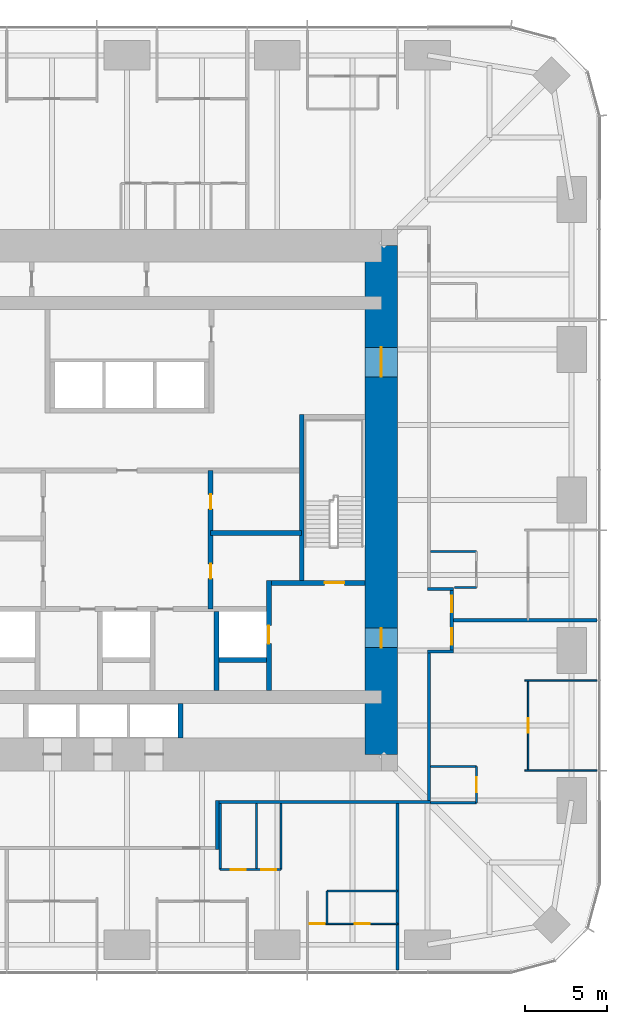
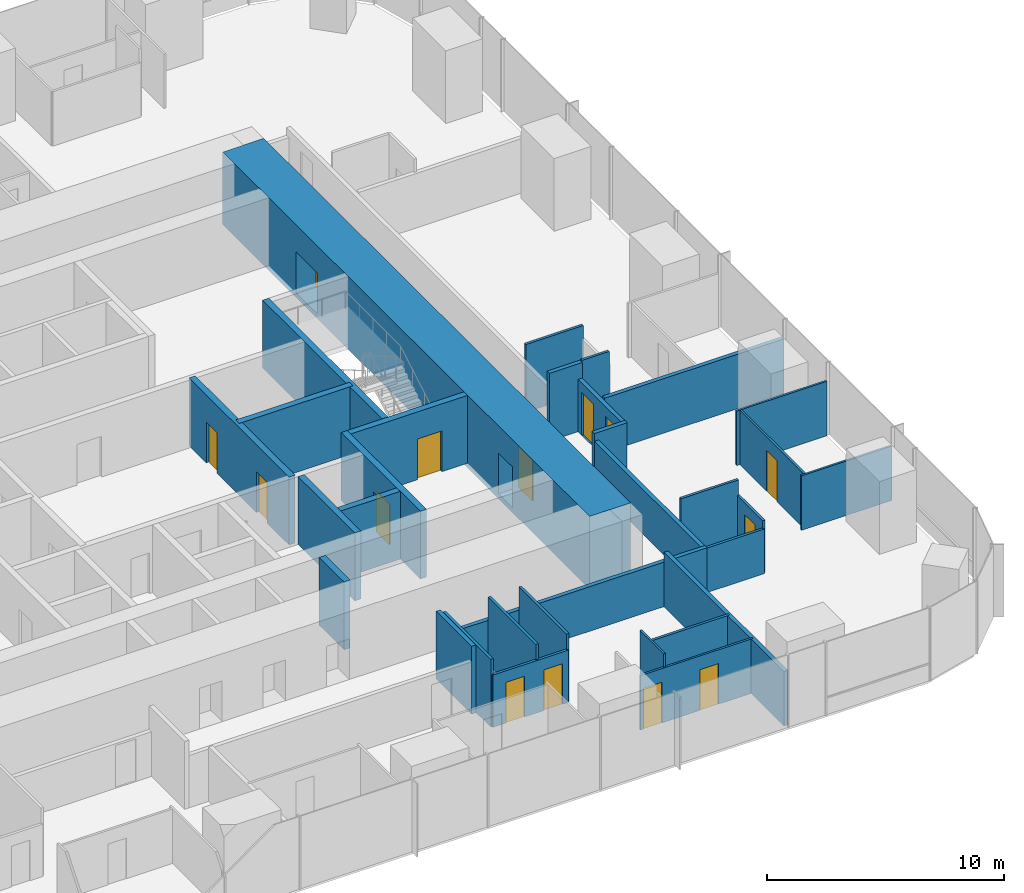
# One storey, part 10 of 13: 32 walls, 14 doors, 14 openings.
"""IFC4 building model written with IfcOpenShell, lengths in metres."""

from ifc_helpers import new_model, si_unit, direction, frame, frame_2d, origin, place, context, subcontext, project, spatial, rectangle, extrude, material, layer, layer_set, type_object, element, fill, save


model = new_model("IFC4")

# Units and contexts
model_context = context("Model", 3, precision=1e-05, world=origin(), true_north=direction((0.0, 1.0)))
body_context = subcontext(model_context, "Body", "Model", "MODEL_VIEW")
ifc_project = project(units=[si_unit("LENGTHUNIT", "METRE"), si_unit("AREAUNIT", "SQUARE_METRE"), si_unit("VOLUMEUNIT", "CUBIC_METRE"), si_unit("PLANEANGLEUNIT", "RADIAN"), si_unit("MASSUNIT", "GRAM", prefix="KILO")], contexts=[model_context])

# Site, building, storey
site_placement = place(None, origin())
site = spatial("IfcSite", under=ifc_project, at=site_placement, CompositionType="ELEMENT")
building_placement = place(site_placement, origin())
building = spatial("IfcBuilding", under=site, at=building_placement, Name="Khuree Lantern Residences", CompositionType="ELEMENT")
storey_placement = place(building_placement, frame((0.0, 0.0, 148.5)))
storey = spatial("IfcBuildingStorey", under=building, at=storey_placement, Name="L37", CompositionType="ELEMENT", Elevation=148.5)

# Walls
ifc_material_1 = material(Name="Moisture-resistant gypsum board on steel studs", Category="steel")
ifc_layer_1 = layer(ifc_material_1, 0.125)
ifc_layer_set_1 = layer_set([ifc_layer_1], Name="BATHROOM WALL BTW125")
wall_type_1 = type_object("IfcWallType", Name="BATHROOM WALL BTW125", PredefinedType="PARTITIONING", material=ifc_layer_set_1)
wall_1_placement = place(storey_placement, frame((19.969970703125, -5.327880859375, 0.0), z_axis=(0.0, 0.0, 1.0), x_axis=(1.0, 0.0, 0.0)))
element("IfcWall", 1, at=wall_1_placement, inside=storey, type_object=wall_type_1, Name="L37 BATHROOM WALL 01", PredefinedType="PARTITIONING", context=body_context, shape_type="SweptSolid", body=[
    extrude(rectangle(XDim=1.330078125, YDim=0.125, at=frame_2d((0.6650390625, 0.0))), origin(), (0.0, 0.0, 1.0), 3.5),
])
wall_2_placement = place(storey_placement, frame((18.5, -3.1279296875, 0.0), z_axis=(0.0, 0.0, 1.0), x_axis=(1.0, 0.0, 0.0)))
element("IfcWall", 2, at=wall_2_placement, inside=storey, type_object=wall_type_1, Name="L37 BATHROOM WALL 01", PredefinedType="PARTITIONING", context=body_context, shape_type="SweptSolid", body=[
    extrude(rectangle(XDim=2.800048828125, YDim=0.125, at=frame_2d((1.39990234375, 0.0))), origin(), (0.0, 0.0, 1.0), 3.5),
])
wall_3_placement = place(storey_placement, frame((12.19189453125, -23.829833984375, 0.0), z_axis=(0.0, 0.0, 1.0), x_axis=(1.0, 0.0, 0.0)))
element("IfcWall", 3, at=wall_3_placement, inside=storey, type_object=wall_type_1, Name="L37 BATHROOM WALL 06", PredefinedType="PARTITIONING", context=body_context, shape_type="SweptSolid", body=[
    extrude(rectangle(XDim=4.296142578125, YDim=0.125, at=frame_2d((2.14794921875, 0.0))), origin(), (0.0, 0.0, 1.0), 2.81005859375),
])

# Wall, openings, doors
wall_4_placement = place(storey_placement, frame((5.68359375, -22.52978515625, 0.0), z_axis=(0.0, 0.0, 1.0), x_axis=(1.0, 0.0, 0.0)))
wall_4 = element("IfcWall", 4, at=wall_4_placement, inside=storey, type_object=wall_type_1, Name="L37 BATHROOM WALL 06", PredefinedType="PARTITIONING", context=body_context, shape_type="SweptSolid", body=[
    extrude(rectangle(XDim=3.699951171875, YDim=0.125, at=frame_2d((1.85009765625, 0.0))), origin(), (0.0, 0.0, 1.0), 2.699951171875),
])
opening_1_placement = place(wall_4_placement, frame((0.64990234375, 0.0, 0.0)))
opening_1 = element("IfcOpeningElement", 5, at=opening_1_placement, cuts=wall_4, Name="Opening 37-058", PredefinedType="OPENING", context=body_context, shape_type="SweptSolid", body=[
    extrude(rectangle(XDim=0.89990234375, YDim=2.10009765625, at=frame_2d((0.449951171875, 1.050048828125))), frame((0.0, 0.072509765625, 0.0), z_axis=(0.0, -1.0, 0.0), x_axis=(1.0, 0.0, 0.0)), (0.0, 0.0, 1.0), 0.14501953125),
])
opening_2_placement = place(wall_4_placement, frame((2.5, 0.0, 0.0)))
opening_2 = element("IfcOpeningElement", 6, at=opening_2_placement, cuts=wall_4, Name="Opening 37-059", PredefinedType="OPENING", context=body_context, shape_type="SweptSolid", body=[
    extrude(rectangle(XDim=0.89990234375, YDim=2.10009765625, at=frame_2d((0.449951171875, 1.050048828125))), frame((0.0, 0.072509765625, 0.0), z_axis=(0.0, -1.0, 0.0), x_axis=(1.0, 0.0, 0.0)), (0.0, 0.0, 1.0), 0.14501953125),
])
ifc_material_2 = material(Name="Timber door leaf in hardwood frame", Category="wood")
door_type_1 = type_object("IfcDoorType", Name="BATHROOM DOOR 900X2100", OperationType="SINGLE_SWING_LEFT", PredefinedType="DOOR", material=ifc_material_2)
door_1_placement = place(opening_1_placement, origin())
door_1 = element("IfcDoor", 7, at=door_1_placement, inside=storey, type_object=door_type_1, Name="Bathroom door 37-058", OperationType="SINGLE_SWING_LEFT", OverallHeight=2.10009765625, OverallWidth=0.89990234375, PredefinedType="DOOR", context=body_context, shape_type="SweptSolid", body=[
    extrude(rectangle(XDim=0.89990234375, YDim=2.10009765625, at=frame_2d((0.449951171875, 1.050048828125))), frame((0.0, 0.02490234375, 0.0), z_axis=(0.0, -1.0, 0.0), x_axis=(1.0, 0.0, 0.0)), (0.0, 0.0, 1.0), 0.050048828125),
])
fill(opening_1, door_1)
door_type_2 = type_object("IfcDoorType", Name="WC DOOR 900X2100", OperationType="SINGLE_SWING_LEFT", PredefinedType="DOOR", material=ifc_material_2)
door_2_placement = place(opening_2_placement, origin())
door_2 = element("IfcDoor", 8, at=door_2_placement, inside=storey, type_object=door_type_2, Name="WC door 37-059", OperationType="SINGLE_SWING_LEFT", OverallHeight=2.10009765625, OverallWidth=0.89990234375, PredefinedType="DOOR", context=body_context, shape_type="SweptSolid", body=[
    extrude(rectangle(XDim=0.89990234375, YDim=2.10009765625, at=frame_2d((0.449951171875, 1.050048828125))), frame((0.0, 0.02490234375, 0.0), z_axis=(0.0, -1.0, 0.0), x_axis=(1.0, 0.0, 0.0)), (0.0, 0.0, 1.0), 0.050048828125),
])
fill(opening_2, door_2)

# Walls
for number, where, z_axis, x_axis, name in (
    (9, (5.68359375, -18.5, 0.0), (0.0, 0.0, 1.0), (0.0, -1.0, 0.0), "L37 BATHROOM WALL 06"),
    (10, (7.883544921875, -18.5, 0.0), (0.0, 0.0, 1.0), (0.0, -1.0, 0.0), "L37 BATHROOM WALL 06"),
    (11, (9.383544921875, -18.5, 0.0), (0.0, 0.0, 1.0), (0.0, -1.0, 0.0), "L37 BATHROOM WALL 06"),
):
    element("IfcWall", number, at=place(storey_placement, frame(where, z_axis=z_axis, x_axis=x_axis)), inside=storey, type_object=wall_type_1, Name=name, PredefinedType="PARTITIONING", context=body_context, shape_type="SweptSolid", body=[
        extrude(rectangle(XDim=4.02978515625, YDim=0.125, at=frame_2d((2.014892578125, 0.0))), origin(), (0.0, 0.0, 1.0), 3.5),
    ])

# Wall, opening, door
wall_5_placement = place(storey_placement, frame((21.300048828125, -18.449951171875, 0.0), z_axis=(0.0, 0.0, 1.0), x_axis=(0.0, 1.0, 0.0)))
wall_5 = element("IfcWall", 12, at=wall_5_placement, inside=storey, type_object=wall_type_1, Name="L37 BATHROOM WALL 07", PredefinedType="PARTITIONING", context=body_context, shape_type="SweptSolid", body=[
    extrude(rectangle(XDim=2.199951171875, YDim=0.125, at=frame_2d((1.10009765625, 0.0))), origin(), (0.0, 0.0, 1.0), 2.699951171875),
])
opening_3_placement = place(wall_5_placement, frame((0.64990234375, 0.0, 0.0)))
opening_3 = element("IfcOpeningElement", 13, at=opening_3_placement, cuts=wall_5, Name="Opening 37-062", PredefinedType="OPENING", context=body_context, shape_type="SweptSolid", body=[
    extrude(rectangle(XDim=0.89990234375, YDim=2.10009765625, at=frame_2d((0.449951171875, 1.050048828125))), frame((0.0, 0.072509765625, 0.0), z_axis=(0.0, -1.0, 0.0), x_axis=(1.0, 0.0, 0.0)), (0.0, 0.0, 1.0), 0.14501953125),
])
door_3_placement = place(opening_3_placement, origin())
door_3 = element("IfcDoor", 14, at=door_3_placement, inside=storey, type_object=door_type_1, Name="Bathroom door 37-062", OperationType="SINGLE_SWING_LEFT", OverallHeight=2.10009765625, OverallWidth=0.89990234375, PredefinedType="DOOR", context=body_context, shape_type="SweptSolid", body=[
    extrude(rectangle(XDim=0.89990234375, YDim=2.10009765625, at=frame_2d((0.449951171875, 1.050048828125))), frame((0.0, 0.02490234375, 0.0), z_axis=(0.0, -1.0, 0.0), x_axis=(1.0, 0.0, 0.0)), (0.0, 0.0, 1.0), 0.050048828125),
])
fill(opening_3, door_3)

# Walls
wall_6_placement = place(storey_placement, frame((18.5, -18.449951171875, 0.0), z_axis=(0.0, 0.0, 1.0), x_axis=(1.0, 0.0, 0.0)))
element("IfcWall", 15, at=wall_6_placement, inside=storey, type_object=wall_type_1, Name="L37 BATHROOM WALL 07", PredefinedType="PARTITIONING", context=body_context, shape_type="SweptSolid", body=[
    extrude(rectangle(XDim=2.800048828125, YDim=0.125, at=frame_2d((1.39990234375, 0.0))), origin(), (0.0, 0.0, 1.0), 2.300048828125),
])
wall_7_placement = place(storey_placement, frame((18.5, -16.25, 0.0), z_axis=(0.0, 0.0, 1.0), x_axis=(1.0, 0.0, 0.0)))
element("IfcWall", 16, at=wall_7_placement, inside=storey, type_object=wall_type_1, Name="L37 BATHROOM WALL 07", PredefinedType="PARTITIONING", context=body_context, shape_type="SweptSolid", body=[
    extrude(rectangle(XDim=2.800048828125, YDim=0.125, at=frame_2d((1.39990234375, 0.0))), origin(), (0.0, 0.0, 1.0), 3.5),
])

# Wall, opening, door
ifc_material_3 = material(Name="Dense concrete blockwork", Category="masonry")
ifc_layer_2 = layer(ifc_material_3, 0.300048828125)
ifc_layer_set_2 = layer_set([ifc_layer_2], Name="CORE PARTITION WALL CPW300 EI 120")
wall_type_2 = type_object("IfcWallType", Name="CORE PARTITION WALL CPW300 EI 120", PredefinedType="PARTITIONING", material=ifc_layer_set_2)
wall_8_placement = place(storey_placement, frame((8.64990234375, -11.60009765625, 0.0), z_axis=(0.0, 0.0, 1.0), x_axis=(0.0, 1.0, 0.0)))
wall_8 = element("IfcWall", 17, at=wall_8_placement, inside=storey, type_object=wall_type_2, Name="L37 CORE WALL FL2E", PredefinedType="PARTITIONING", context=body_context, shape_type="SweptSolid", body=[
    extrude(rectangle(XDim=6.7001953125, YDim=0.300048828125, at=frame_2d((3.35009765625, 0.0))), origin(), (0.0, 0.0, 1.0), 3.5),
])
opening_4_placement = place(wall_8_placement, frame((2.85009765625, 0.0, 0.0)))
opening_4 = element("IfcOpeningElement", 18, at=opening_4_placement, cuts=wall_8, Name="Opening 37-008", PredefinedType="OPENING", context=body_context, shape_type="SweptSolid", body=[
    extrude(rectangle(XDim=1.10009765625, YDim=2.10009765625, at=frame_2d((0.550048828125, 1.050048828125))), frame((0.0, 0.16015625, 0.0), z_axis=(0.0, -1.0, 0.0), x_axis=(1.0, 0.0, 0.0)), (0.0, 0.0, 1.0), 0.320068359375),
])
ifc_material_4 = material(Name="Stainless steel lift landing door", Category="steel")
door_type_3 = type_object("IfcDoorType", Name="LIFT LANDING DOOR 1100X2100 E 120", OperationType="DOUBLE_DOOR_SLIDING", PredefinedType="DOOR", material=ifc_material_4)
door_4_placement = place(opening_4_placement, origin())
door_4 = element("IfcDoor", 19, at=door_4_placement, inside=storey, type_object=door_type_3, Name="Landing door FL2 37-008", OperationType="DOUBLE_DOOR_SLIDING", OverallHeight=2.10009765625, OverallWidth=1.10009765625, PredefinedType="DOOR", context=body_context, shape_type="SweptSolid", body=[
    extrude(rectangle(XDim=1.10009765625, YDim=2.10009765625, at=frame_2d((0.550048828125, 1.050048828125))), frame((0.0, 0.02490234375, 0.0), z_axis=(0.0, -1.0, 0.0), x_axis=(1.0, 0.0, 0.0)), (0.0, 0.0, 1.0), 0.050048828125),
])
fill(opening_4, door_4)

# Walls
wall_9_placement = place(storey_placement, frame((5.449951171875, -11.60009765625, 0.0), z_axis=(0.0, 0.0, 1.0), x_axis=(0.0, 1.0, 0.0)))
element("IfcWall", 20, at=wall_9_placement, inside=storey, type_object=wall_type_2, Name="L37 CORE WALL FL2W", PredefinedType="PARTITIONING", context=body_context, shape_type="SweptSolid", body=[
    extrude(rectangle(XDim=4.800048828125, YDim=0.300048828125, at=frame_2d((2.39990234375, 0.0))), origin(), (0.0, 0.0, 1.0), 3.5),
])
wall_10_placement = place(storey_placement, frame((5.60009765625, -9.75, 0.0), z_axis=(0.0, 0.0, 1.0), x_axis=(1.0, 0.0, 0.0)))
element("IfcWall", 21, at=wall_10_placement, inside=storey, type_object=wall_type_2, Name="L37 CORE WALL FL2S", PredefinedType="PARTITIONING", context=body_context, shape_type="SweptSolid", body=[
    extrude(rectangle(XDim=2.89990234375, YDim=0.300048828125, at=frame_2d((1.449951171875, 0.0))), origin(), (0.0, 0.0, 1.0), 3.5),
])
wall_11_placement = place(storey_placement, frame((3.25, -14.5, 0.0), z_axis=(0.0, 0.0, 1.0), x_axis=(0.0, 1.0, 0.0)))
element("IfcWall", 22, at=wall_11_placement, inside=storey, type_object=wall_type_2, Name="L37 CORE WALL PME", PredefinedType="PARTITIONING", context=body_context, shape_type="SweptSolid", body=[
    extrude(rectangle(XDim=2.10009765625, YDim=0.300048828125, at=frame_2d((1.050048828125, 0.0))), origin(), (0.0, 0.0, 1.0), 3.5),
])

# Wall, openings, doors
wall_12_placement = place(storey_placement, frame((5.10009765625, -6.64990234375, 0.0), z_axis=(0.0, 0.0, 1.0), x_axis=(0.0, 1.0, 0.0)))
wall_12 = element("IfcWall", 23, at=wall_12_placement, inside=storey, type_object=wall_type_2, Name="L37 CORE WALL SVE", PredefinedType="PARTITIONING", context=body_context, shape_type="SweptSolid", body=[
    extrude(rectangle(XDim=8.449951171875, YDim=0.300048828125, at=frame_2d((4.22509765625, 0.0))), origin(), (0.0, 0.0, 1.0), 3.5),
])
opening_5_placement = place(wall_12_placement, frame((1.865966796875, 0.0, 0.0)))
opening_5 = element("IfcOpeningElement", 24, at=opening_5_placement, cuts=wall_12, Name="Opening 37-019", PredefinedType="OPENING", context=body_context, shape_type="SweptSolid", body=[
    extrude(rectangle(XDim=0.89990234375, YDim=2.10009765625, at=frame_2d((0.449951171875, 1.050048828125))), frame((0.0, 0.16015625, 0.0), z_axis=(0.0, -1.0, 0.0), x_axis=(1.0, 0.0, 0.0)), (0.0, 0.0, 1.0), 0.320068359375),
])
opening_6_placement = place(wall_12_placement, frame((6.091064453125, 0.0, 0.0)))
opening_6 = element("IfcOpeningElement", 25, at=opening_6_placement, cuts=wall_12, Name="Opening 37-020", PredefinedType="OPENING", context=body_context, shape_type="SweptSolid", body=[
    extrude(rectangle(XDim=0.89990234375, YDim=2.10009765625, at=frame_2d((0.449951171875, 1.050048828125))), frame((0.0, 0.16015625, 0.0), z_axis=(0.0, -1.0, 0.0), x_axis=(1.0, 0.0, 0.0)), (0.0, 0.0, 1.0), 0.320068359375),
])
door_type_4 = type_object("IfcDoorType", Name="DOOR 900X2100", OperationType="SINGLE_SWING_LEFT", PredefinedType="DOOR", material=ifc_material_2)
door_5_placement = place(opening_5_placement, origin())
door_5 = element("IfcDoor", 26, at=door_5_placement, inside=storey, type_object=door_type_4, Name="Parcel room door 37-019", OperationType="SINGLE_SWING_LEFT", OverallHeight=2.10009765625, OverallWidth=0.89990234375, PredefinedType="DOOR", context=body_context, shape_type="SweptSolid", body=[
    extrude(rectangle(XDim=0.89990234375, YDim=2.10009765625, at=frame_2d((0.449951171875, 1.050048828125))), frame((0.0, 0.02490234375, 0.0), z_axis=(0.0, -1.0, 0.0), x_axis=(1.0, 0.0, 0.0)), (0.0, 0.0, 1.0), 0.050048828125),
])
fill(opening_5, door_5)
door_type_5 = type_object("IfcDoorType", Name="DOOR 900X2100 RIGHT HAND", OperationType="SINGLE_SWING_RIGHT", PredefinedType="DOOR", material=ifc_material_2)
door_6_placement = place(opening_6_placement, origin())
door_6 = element("IfcDoor", 27, at=door_6_placement, inside=storey, type_object=door_type_5, Name="Bulky waste store door 37-020", OperationType="SINGLE_SWING_RIGHT", OverallHeight=2.10009765625, OverallWidth=0.89990234375, PredefinedType="DOOR", context=body_context, shape_type="SweptSolid", body=[
    extrude(rectangle(XDim=0.89990234375, YDim=2.10009765625, at=frame_2d((0.449951171875, 1.050048828125))), frame((0.0, 0.02490234375, 0.0), z_axis=(0.0, -1.0, 0.0), x_axis=(1.0, 0.0, 0.0)), (0.0, 0.0, 1.0), 0.050048828125),
])
fill(opening_6, door_6)

# Walls
wall_13_placement = place(storey_placement, frame((10.64990234375, -2.01806640625, 0.0), z_axis=(0.0, 0.0, 1.0), x_axis=(-1.0, 0.0, 0.0)))
element("IfcWall", 28, at=wall_13_placement, inside=storey, type_object=wall_type_2, Name="L37 CORE WALL EX", PredefinedType="PARTITIONING", context=body_context, shape_type="SweptSolid", body=[
    extrude(rectangle(XDim=5.5498046875, YDim=0.300048828125, at=frame_2d((2.77490234375, 0.0))), origin(), (0.0, 0.0, 1.0), 3.5),
])
ifc_material_5 = material(Name="Gypsum board on steel studs", Category="steel")
ifc_layer_3 = layer(ifc_material_5, 0.199951171875)
ifc_layer_set_3 = layer_set([ifc_layer_3], Name="CORRIDOR WALL CRW200 EI 60")
wall_type_3 = type_object("IfcWallType", Name="CORRIDOR WALL CRW200 EI 60", PredefinedType="PARTITIONING", material=ifc_layer_set_3)
wall_14_placement = place(storey_placement, frame((18.39990234375, -18.300048828125, 0.0), z_axis=(0.0, 0.0, 1.0), x_axis=(0.0, 1.0, 0.0)))
element("IfcWall", 29, at=wall_14_placement, inside=storey, type_object=wall_type_3, Name="L37 CORRIDOR WALL EAST 1", PredefinedType="PARTITIONING", context=body_context, shape_type="SweptSolid", body=[
    extrude(rectangle(XDim=8.97216796875, YDim=0.199951171875, at=frame_2d((4.486083984375, 0.0))), origin(), (0.0, 0.0, 1.0), 2.300048828125),
])
wall_15_placement = place(storey_placement, frame((18.300048828125, -9.22802734375, 0.0), z_axis=(0.0, 0.0, 1.0), x_axis=(1.0, 0.0, 0.0)))
element("IfcWall", 30, at=wall_15_placement, inside=storey, type_object=wall_type_3, Name="L37 CORRIDOR ALCOVE WALL EAST", PredefinedType="PARTITIONING", context=body_context, shape_type="SweptSolid", body=[
    extrude(rectangle(XDim=1.599853515625, YDim=0.199951171875, at=frame_2d((0.7998046875, 0.0))), origin(), (0.0, 0.0, 1.0), 2.699951171875),
])
wall_16_placement = place(storey_placement, frame((18.300048828125, -5.427978515625, 0.0), z_axis=(0.0, 0.0, 1.0), x_axis=(1.0, 0.0, 0.0)))
element("IfcWall", 31, at=wall_16_placement, inside=storey, type_object=wall_type_3, Name="L37 CORRIDOR ALCOVE WALL EAST", PredefinedType="PARTITIONING", context=body_context, shape_type="SweptSolid", body=[
    extrude(rectangle(XDim=1.599853515625, YDim=0.199951171875, at=frame_2d((0.7998046875, 0.0))), origin(), (0.0, 0.0, 1.0), 3.5),
])

# Wall, openings, doors
wall_17_placement = place(storey_placement, frame((19.800048828125, -9.1279296875, 0.0), z_axis=(0.0, 0.0, 1.0), x_axis=(0.0, 1.0, 0.0)))
wall_17 = element("IfcWall", 32, at=wall_17_placement, inside=storey, type_object=wall_type_3, Name="L37 CORRIDOR ALCOVE WALL EAST", PredefinedType="PARTITIONING", context=body_context, shape_type="SweptSolid", body=[
    extrude(rectangle(XDim=3.599853515625, YDim=0.199951171875, at=frame_2d((1.7998046875, 0.0))), origin(), (0.0, 0.0, 1.0), 2.699951171875),
])
opening_7_placement = place(wall_17_placement, frame((2.300048828125, 0.0, 0.0)))
opening_7 = element("IfcOpeningElement", 33, at=opening_7_placement, cuts=wall_17, Name="Opening 37-027", PredefinedType="OPENING", context=body_context, shape_type="SweptSolid", body=[
    extrude(rectangle(XDim=1.0, YDim=2.199951171875, at=frame_2d((0.5, 1.10009765625))), frame((0.0, 0.10986328125, 0.0), z_axis=(0.0, -1.0, 0.0), x_axis=(1.0, 0.0, 0.0)), (0.0, 0.0, 1.0), 0.219970703125),
])
opening_8_placement = place(wall_17_placement, frame((0.300048828125, 0.0, 0.0)))
opening_8 = element("IfcOpeningElement", 34, at=opening_8_placement, cuts=wall_17, Name="Opening 37-063", PredefinedType="OPENING", context=body_context, shape_type="SweptSolid", body=[
    extrude(rectangle(XDim=1.0, YDim=2.199951171875, at=frame_2d((0.5, 1.10009765625))), frame((0.0, 0.10986328125, 0.0), z_axis=(0.0, -1.0, 0.0), x_axis=(1.0, 0.0, 0.0)), (0.0, 0.0, 1.0), 0.219970703125),
])
door_type_6 = type_object("IfcDoorType", Name="APARTMENT ENTRANCE DOOR 1000X2200 EI 30S", OperationType="SINGLE_SWING_LEFT", PredefinedType="DOOR", material=ifc_material_2)
door_7_placement = place(opening_8_placement, origin())
door_7 = element("IfcDoor", 35, at=door_7_placement, inside=storey, type_object=door_type_6, Name="Apartment 07 entrance door 37-063", OperationType="SINGLE_SWING_LEFT", OverallHeight=2.199951171875, OverallWidth=1.0, PredefinedType="DOOR", context=body_context, shape_type="SweptSolid", body=[
    extrude(rectangle(XDim=1.0, YDim=2.199951171875, at=frame_2d((0.5, 1.10009765625))), frame((0.0, 0.02490234375, 0.0), z_axis=(0.0, -1.0, 0.0), x_axis=(1.0, 0.0, 0.0)), (0.0, 0.0, 1.0), 0.050048828125),
])
fill(opening_8, door_7)
door_type_7 = type_object("IfcDoorType", Name="APARTMENT ENTRANCE DOOR 1000X2200 EI 30S RIGHT HAND", OperationType="SINGLE_SWING_RIGHT", PredefinedType="DOOR", material=ifc_material_2)
door_8_placement = place(opening_7_placement, origin())
door_8 = element("IfcDoor", 36, at=door_8_placement, inside=storey, type_object=door_type_7, Name="Apartment 01 entrance door 37-027", OperationType="SINGLE_SWING_RIGHT", OverallHeight=2.199951171875, OverallWidth=1.0, PredefinedType="DOOR", context=body_context, shape_type="SweptSolid", body=[
    extrude(rectangle(XDim=1.0, YDim=2.199951171875, at=frame_2d((0.5, 1.10009765625))), frame((0.0, 0.02490234375, 0.0), z_axis=(0.0, -1.0, 0.0), x_axis=(1.0, 0.0, 0.0)), (0.0, 0.0, 1.0), 0.050048828125),
])
fill(opening_7, door_8)

# Walls
wall_18_placement = place(storey_placement, frame((18.5, -18.39990234375, 0.0), z_axis=(0.0, 0.0, 1.0), x_axis=(-1.0, 0.0, 0.0)))
element("IfcWall", 37, at=wall_18_placement, inside=storey, type_object=wall_type_3, Name="L37 CORRIDOR WALL SOUTH 1", PredefinedType="PARTITIONING", context=body_context, shape_type="SweptSolid", body=[
    extrude(rectangle(XDim=12.89990234375, YDim=0.199951171875, at=frame_2d((6.449951171875, 0.0))), origin(), (0.0, 0.0, 1.0), 2.300048828125),
])
wall_19_placement = place(storey_placement, frame((5.5, -18.300048828125, 0.0), z_axis=(0.0, 0.0, 1.0), x_axis=(0.0, -1.0, 0.0)))
element("IfcWall", 38, at=wall_19_placement, inside=storey, type_object=wall_type_3, Name="L37 LIFT LOBBY WALL", PredefinedType="PARTITIONING", context=body_context, shape_type="SweptSolid", body=[
    extrude(rectangle(XDim=3.0, YDim=0.199951171875, at=frame_2d((1.5, 0.0))), origin(), (0.0, 0.0, 1.0), 3.5),
])

# Wall, openings, doors
ifc_material_6 = material(Name="Concrete C70/85", Category="concrete")
ifc_layer_4 = layer(ifc_material_6, 2.0)
ifc_layer_set_4 = layer_set([ifc_layer_4], Name="CW2000-C70 CORE WALL C70 2000")
wall_type_4 = type_object("IfcWallType", Name="CW2000-C70 CORE WALL C70 2000", PredefinedType="SHEAR", material=ifc_layer_set_4)
wall_20_placement = place(storey_placement, frame((15.5, -15.5, -0.25), z_axis=(0.0, 0.0, 1.0), x_axis=(0.0, 1.0, 0.0)))
wall_20 = element("IfcWall", 39, at=wall_20_placement, inside=storey, type_object=wall_type_4, Name="Core wall E", PredefinedType="SHEAR", context=body_context, shape_type="SweptSolid", body=[
    extrude(rectangle(XDim=31.0, YDim=2.0, at=frame_2d((15.5, 0.0))), origin(), (0.0, 0.0, 1.0), 3.75),
])
opening_9_placement = place(wall_20_placement, frame((6.5, 0.0, 0.25)))
opening_9 = element("IfcOpeningElement", 40, at=opening_9_placement, cuts=wall_20, Name="Opening 37-005", PredefinedType="OPENING", context=body_context, shape_type="SweptSolid", body=[
    extrude(rectangle(XDim=1.199951171875, YDim=2.10009765625, at=frame_2d((0.60009765625, 1.050048828125))), frame((0.0, 1.010009765625, 0.0), z_axis=(0.0, -1.0, 0.0), x_axis=(1.0, 0.0, 0.0)), (0.0, 0.0, 1.0), 2.02001953125),
])
opening_10_placement = place(wall_20_placement, frame((23.0, 0.0, 0.25)))
opening_10 = element("IfcOpeningElement", 41, at=opening_10_placement, cuts=wall_20, Name="Opening 37-006", PredefinedType="OPENING", context=body_context, shape_type="SweptSolid", body=[
    extrude(rectangle(XDim=1.800048828125, YDim=2.10009765625, at=frame_2d((0.89990234375, 1.050048828125))), frame((0.0, 1.010009765625, 0.0), z_axis=(0.0, -1.0, 0.0), x_axis=(1.0, 0.0, 0.0)), (0.0, 0.0, 1.0), 2.02001953125),
])
ifc_material_7 = material(Name="Steel door leaf in steel frame", Category="steel")
door_type_8 = type_object("IfcDoorType", Name="LOBBY DOOR 1200X2100 EI 120", OperationType="SINGLE_SWING_LEFT", PredefinedType="DOOR", material=ifc_material_7)
door_9_placement = place(opening_9_placement, origin())
door_9 = element("IfcDoor", 42, at=door_9_placement, inside=storey, type_object=door_type_8, Name="Firefighting lobby door 37-005", OperationType="SINGLE_SWING_LEFT", OverallHeight=2.10009765625, OverallWidth=1.199951171875, PredefinedType="DOOR", context=body_context, shape_type="SweptSolid", body=[
    extrude(rectangle(XDim=1.199951171875, YDim=2.10009765625, at=frame_2d((0.60009765625, 1.050048828125))), frame((0.0, 0.02490234375, 0.0), z_axis=(0.0, -1.0, 0.0), x_axis=(1.0, 0.0, 0.0)), (0.0, 0.0, 1.0), 0.050048828125),
])
fill(opening_9, door_9)
door_type_9 = type_object("IfcDoorType", Name="LOBBY DOUBLE DOOR 1800X2100 EI 60", OperationType="DOUBLE_DOOR_SINGLE_SWING", PredefinedType="DOOR", material=ifc_material_7)
door_10_placement = place(opening_10_placement, origin())
door_10 = element("IfcDoor", 43, at=door_10_placement, inside=storey, type_object=door_type_9, Name="Lift lobby door 37-006", OperationType="DOUBLE_DOOR_SINGLE_SWING", OverallHeight=2.10009765625, OverallWidth=1.800048828125, PredefinedType="DOOR", context=body_context, shape_type="SweptSolid", body=[
    extrude(rectangle(XDim=1.800048828125, YDim=2.10009765625, at=frame_2d((0.89990234375, 1.050048828125))), frame((0.0, 0.02490234375, 0.0), z_axis=(0.0, -1.0, 0.0), x_axis=(1.0, 0.0, 0.0)), (0.0, 0.0, 1.0), 0.050048828125),
])
fill(opening_10, door_10)

# Walls
ifc_layer_5 = layer(ifc_material_5, 0.199951171875)
ifc_layer_set_5 = layer_set([ifc_layer_5], Name="DEMISING WALL DMW200 EI 90")
wall_type_5 = type_object("IfcWallType", Name="DEMISING WALL DMW200 EI 90", PredefinedType="PARTITIONING", material=ifc_layer_set_5)
wall_21_placement = place(storey_placement, frame((19.89990234375, -7.327880859375, 0.0), z_axis=(0.0, 0.0, 1.0), x_axis=(1.0, 0.0, 0.0)))
element("IfcWall", 44, at=wall_21_placement, inside=storey, type_object=wall_type_5, Name="L37 DEMISING WALL 01", PredefinedType="PARTITIONING", context=body_context, shape_type="SweptSolid", body=[
    extrude(rectangle(XDim=8.75, YDim=0.199951171875, at=frame_2d((4.375, 0.0))), origin(), (0.0, 0.0, 1.0), 2.81005859375),
])
wall_22_placement = place(storey_placement, frame((16.488037109375, -18.5, 0.0), z_axis=(0.0, 0.0, 1.0), x_axis=(0.0, -1.0, 0.0)))
element("IfcWall", 45, at=wall_22_placement, inside=storey, type_object=wall_type_5, Name="L37 DEMISING WALL 07", PredefinedType="PARTITIONING", context=body_context, shape_type="SweptSolid", body=[
    extrude(rectangle(XDim=10.14990234375, YDim=0.199951171875, at=frame_2d((5.074951171875, 0.0))), origin(), (0.0, 0.0, 1.0), 2.81005859375),
])
ifc_layer_6 = layer(ifc_material_5, 0.10009765625)
ifc_layer_set_6 = layer_set([ifc_layer_6], Name="PARTITION PT100")
wall_type_6 = type_object("IfcWallType", Name="PARTITION PT100", PredefinedType="PARTITIONING", material=ifc_layer_set_6)
for number, where, z_axis, x_axis, name in (
    (46, (24.25, -16.488037109375, 0.0), (0.0, 0.0, 1.0), (1.0, 0.0, 0.0), "L37 PARTITION 07"),
    (47, (24.25, -10.991943359375, 0.0), (0.0, 0.0, 1.0), (1.0, 0.0, 0.0), "L37 PARTITION 07"),
):
    element("IfcWall", number, at=place(storey_placement, frame(where, z_axis=z_axis, x_axis=x_axis)), inside=storey, type_object=wall_type_6, Name=name, PredefinedType="PARTITIONING", context=body_context, shape_type="SweptSolid", body=[
        extrude(rectangle(XDim=4.39990234375, YDim=0.10009765625, at=frame_2d((2.199951171875, 0.0))), origin(), (0.0, 0.0, 1.0), 2.81005859375),
    ])

# Wall, openings, doors
wall_23_placement = place(storey_placement, frame((10.991943359375, -25.829833984375, 0.0), z_axis=(0.0, 0.0, 1.0), x_axis=(1.0, 0.0, 0.0)))
wall_23 = element("IfcWall", 48, at=wall_23_placement, inside=storey, type_object=wall_type_6, Name="L37 PARTITION 06", PredefinedType="PARTITIONING", context=body_context, shape_type="SweptSolid", body=[
    extrude(rectangle(XDim=5.49609375, YDim=0.10009765625, at=frame_2d((2.748046875, 0.0))), origin(), (0.0, 0.0, 1.0), 2.81005859375),
])
opening_11_placement = place(wall_23_placement, frame((0.14990234375, 0.0, 0.0)))
opening_11 = element("IfcOpeningElement", 49, at=opening_11_placement, cuts=wall_23, Name="Opening 37-056", PredefinedType="OPENING", context=body_context, shape_type="SweptSolid", body=[
    extrude(rectangle(XDim=0.89990234375, YDim=2.10009765625, at=frame_2d((0.449951171875, 1.050048828125))), frame((0.0, 0.06005859375, 0.0), z_axis=(0.0, -1.0, 0.0), x_axis=(1.0, 0.0, 0.0)), (0.0, 0.0, 1.0), 0.1201171875),
])
opening_12_placement = place(wall_23_placement, frame((2.89794921875, 0.0, 0.0)))
opening_12 = element("IfcOpeningElement", 50, at=opening_12_placement, cuts=wall_23, Name="Opening 37-057", PredefinedType="OPENING", context=body_context, shape_type="SweptSolid", body=[
    extrude(rectangle(XDim=0.89990234375, YDim=2.10009765625, at=frame_2d((0.449951171875, 1.050048828125))), frame((0.0, 0.06005859375, 0.0), z_axis=(0.0, -1.0, 0.0), x_axis=(1.0, 0.0, 0.0)), (0.0, 0.0, 1.0), 0.1201171875),
])
door_type_10 = type_object("IfcDoorType", Name="BATHROOM DOOR 900X2100 RIGHT HAND", OperationType="SINGLE_SWING_RIGHT", PredefinedType="DOOR", material=ifc_material_2)
door_11_placement = place(opening_12_placement, origin())
door_11 = element("IfcDoor", 51, at=door_11_placement, inside=storey, type_object=door_type_10, Name="Bathroom door 37-057", OperationType="SINGLE_SWING_RIGHT", OverallHeight=2.10009765625, OverallWidth=0.89990234375, PredefinedType="DOOR", context=body_context, shape_type="SweptSolid", body=[
    extrude(rectangle(XDim=0.89990234375, YDim=2.10009765625, at=frame_2d((0.449951171875, 1.050048828125))), frame((0.0, 0.02490234375, 0.0), z_axis=(0.0, -1.0, 0.0), x_axis=(1.0, 0.0, 0.0)), (0.0, 0.0, 1.0), 0.050048828125),
])
fill(opening_12, door_11)
door_type_11 = type_object("IfcDoorType", Name="BEDROOM DOOR 900X2100", OperationType="SINGLE_SWING_LEFT", PredefinedType="DOOR", material=ifc_material_2)
door_12_placement = place(opening_11_placement, origin())
door_12 = element("IfcDoor", 52, at=door_12_placement, inside=storey, type_object=door_type_11, Name="Bedroom door 37-056", OperationType="SINGLE_SWING_LEFT", OverallHeight=2.10009765625, OverallWidth=0.89990234375, PredefinedType="DOOR", context=body_context, shape_type="SweptSolid", body=[
    extrude(rectangle(XDim=0.89990234375, YDim=2.10009765625, at=frame_2d((0.449951171875, 1.050048828125))), frame((0.0, 0.02490234375, 0.0), z_axis=(0.0, -1.0, 0.0), x_axis=(1.0, 0.0, 0.0)), (0.0, 0.0, 1.0), 0.050048828125),
])
fill(opening_11, door_12)

# Wall
wall_24_placement = place(storey_placement, frame((12.19189453125, -23.829833984375, 0.0), z_axis=(0.0, 0.0, 1.0), x_axis=(0.0, -1.0, 0.0)))
element("IfcWall", 53, at=wall_24_placement, inside=storey, type_object=wall_type_6, Name="L37 PARTITION 06", PredefinedType="PARTITIONING", context=body_context, shape_type="SweptSolid", body=[
    extrude(rectangle(XDim=2.0, YDim=0.10009765625, at=frame_2d((1.0, 0.0))), origin(), (0.0, 0.0, 1.0), 3.5),
])

# Wall, opening, door
wall_25_placement = place(storey_placement, frame((24.449951171875, -16.488037109375, 0.0), z_axis=(0.0, 0.0, 1.0), x_axis=(0.0, 1.0, 0.0)))
wall_25 = element("IfcWall", 54, at=wall_25_placement, inside=storey, type_object=wall_type_6, Name="L37 PARTITION 07", PredefinedType="PARTITIONING", context=body_context, shape_type="SweptSolid", body=[
    extrude(rectangle(XDim=5.49609375, YDim=0.10009765625, at=frame_2d((2.748046875, 0.0))), origin(), (0.0, 0.0, 1.0), 2.81005859375),
])
opening_13_placement = place(wall_25_placement, frame((2.298095703125, 0.0, 0.0)))
opening_13 = element("IfcOpeningElement", 55, at=opening_13_placement, cuts=wall_25, Name="Opening 37-061", PredefinedType="OPENING", context=body_context, shape_type="SweptSolid", body=[
    extrude(rectangle(XDim=0.89990234375, YDim=2.10009765625, at=frame_2d((0.449951171875, 1.050048828125))), frame((0.0, 0.06005859375, 0.0), z_axis=(0.0, -1.0, 0.0), x_axis=(1.0, 0.0, 0.0)), (0.0, 0.0, 1.0), 0.1201171875),
])
door_13_placement = place(opening_13_placement, origin())
door_13 = element("IfcDoor", 56, at=door_13_placement, inside=storey, type_object=door_type_11, Name="Bedroom door 37-061", OperationType="SINGLE_SWING_LEFT", OverallHeight=2.10009765625, OverallWidth=0.89990234375, PredefinedType="DOOR", context=body_context, shape_type="SweptSolid", body=[
    extrude(rectangle(XDim=0.89990234375, YDim=2.10009765625, at=frame_2d((0.449951171875, 1.050048828125))), frame((0.0, 0.02490234375, 0.0), z_axis=(0.0, -1.0, 0.0), x_axis=(1.0, 0.0, 0.0)), (0.0, 0.0, 1.0), 0.050048828125),
])
fill(opening_13, door_13)

# Wall
ifc_material_8 = material(Name="Concrete C50/60", Category="concrete")
ifc_layer_7 = layer(ifc_material_8, 0.300048828125)
ifc_layer_set_7 = layer_set([ifc_layer_7], Name="STAIR WALL SRW300 C50/60 REI 240")
wall_type_7 = type_object("IfcWallType", Name="STAIR WALL SRW300 C50/60 REI 240", PredefinedType="SOLIDWALL", material=ifc_layer_set_7)
wall_26_placement = place(storey_placement, frame((10.64990234375, -4.89990234375, 0.0), z_axis=(0.0, 0.0, 1.0), x_axis=(0.0, 1.0, 0.0)))
element("IfcWall", 57, at=wall_26_placement, inside=storey, type_object=wall_type_7, Name="L37 STAIR WALL ST2E", PredefinedType="SOLIDWALL", context=body_context, shape_type="SweptSolid", body=[
    extrude(rectangle(XDim=10.099853515625, YDim=0.300048828125, at=frame_2d((5.0498046875, 0.0))), origin(), (0.0, 0.0, 1.0), 3.5),
])

# Wall, opening, door
wall_27_placement = place(storey_placement, frame((14.5, -5.050048828125, 0.0), z_axis=(0.0, 0.0, 1.0), x_axis=(-1.0, 0.0, 0.0)))
wall_27 = element("IfcWall", 58, at=wall_27_placement, inside=storey, type_object=wall_type_7, Name="L37 STAIR WALL ST2S", PredefinedType="SOLIDWALL", context=body_context, shape_type="SweptSolid", body=[
    extrude(rectangle(XDim=5.699951171875, YDim=0.300048828125, at=frame_2d((2.85009765625, 0.0))), origin(), (0.0, 0.0, 1.0), 3.5),
])
opening_14_placement = place(wall_27_placement, frame((1.25, 0.0, 0.0)))
opening_14 = element("IfcOpeningElement", 59, at=opening_14_placement, cuts=wall_27, Name="Opening 37-004", PredefinedType="OPENING", context=body_context, shape_type="SweptSolid", body=[
    extrude(rectangle(XDim=1.199951171875, YDim=2.10009765625, at=frame_2d((0.60009765625, 1.050048828125))), frame((0.0, 0.16015625, 0.0), z_axis=(0.0, -1.0, 0.0), x_axis=(1.0, 0.0, 0.0)), (0.0, 0.0, 1.0), 0.320068359375),
])
door_type_12 = type_object("IfcDoorType", Name="STAIR DOOR 1200X2100 EI 120", OperationType="SINGLE_SWING_LEFT", PredefinedType="DOOR", material=ifc_material_7)
door_14_placement = place(opening_14_placement, origin())
door_14 = element("IfcDoor", 60, at=door_14_placement, inside=storey, type_object=door_type_12, Name="Stair ST2 door 37-004", OperationType="SINGLE_SWING_LEFT", OverallHeight=2.10009765625, OverallWidth=1.199951171875, PredefinedType="DOOR", context=body_context, shape_type="SweptSolid", body=[
    extrude(rectangle(XDim=1.199951171875, YDim=2.10009765625, at=frame_2d((0.60009765625, 1.050048828125))), frame((0.0, 0.02490234375, 0.0), z_axis=(0.0, -1.0, 0.0), x_axis=(1.0, 0.0, 0.0)), (0.0, 0.0, 1.0), 0.050048828125),
])
fill(opening_14, door_14)

save(model, "model.ifc")
